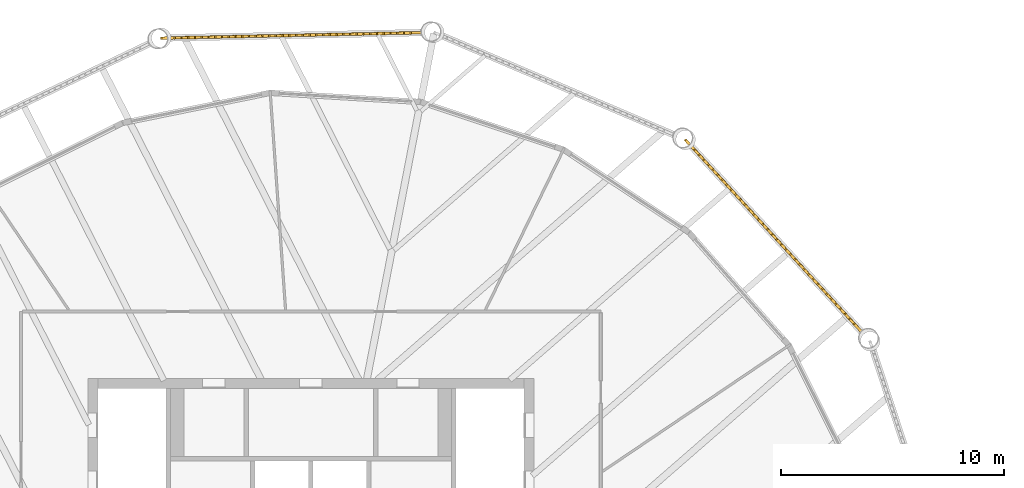
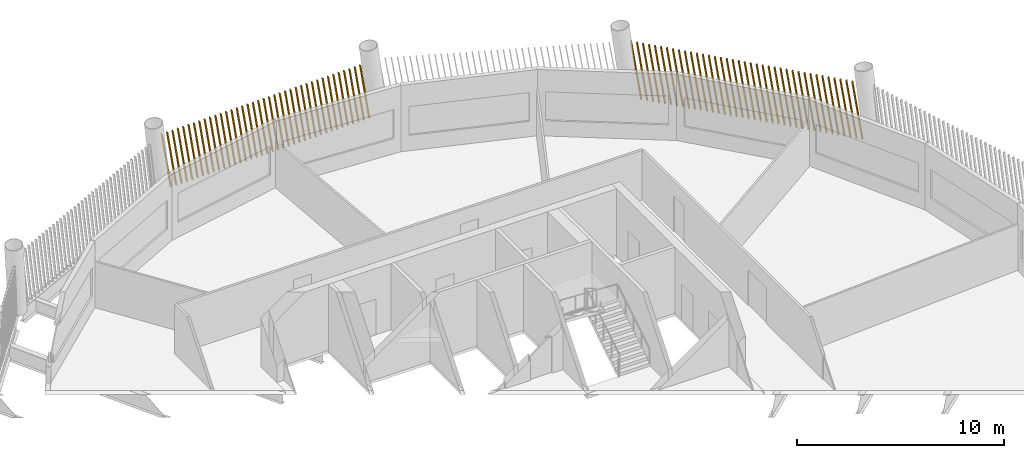
# One storey, part 28 of 28: 2 shading devices.
"""IFC4 building model written with IfcOpenShell, lengths in metres."""

from ifc_helpers import new_model, si_unit, direction, frame, frame_2d, origin, place, context, subcontext, project, spatial, rectangle, composite_profile, extrude, material, type_object, element, save


model = new_model("IFC4")

# Units and contexts
model_context = context("Model", 3, precision=1e-05, world=origin(), true_north=direction((0.0, 1.0)))
body_context = subcontext(model_context, "Body", "Model", "MODEL_VIEW")
ifc_project = project(units=[si_unit("LENGTHUNIT", "METRE"), si_unit("AREAUNIT", "SQUARE_METRE"), si_unit("VOLUMEUNIT", "CUBIC_METRE"), si_unit("PLANEANGLEUNIT", "RADIAN"), si_unit("MASSUNIT", "GRAM", prefix="KILO")], contexts=[model_context])

# Site, building, storey
site_placement = place(None, origin())
site = spatial("IfcSite", under=ifc_project, at=site_placement, CompositionType="ELEMENT")
building_placement = place(site_placement, origin())
building = spatial("IfcBuilding", under=site, at=building_placement, Name="Tarsis Ring Headquarters", CompositionType="ELEMENT")
storey_placement = place(building_placement, frame((0.0, 0.0, 394.39990234375)))
storey = spatial("IfcBuildingStorey", under=building, at=storey_placement, Name="L93", CompositionType="ELEMENT", Elevation=394.39990234375)

# Shading devices
ifc_material = material(Name="Terracotta baguette", Category="masonry")
shading_device_type = type_object("IfcShadingDeviceType", Name="Terracotta baguette screen", PredefinedType="USERDEFINED", material=ifc_material)
shading_device_1_placement = place(storey_placement, frame((24.728271484375, 15.04833984375, 0.0), z_axis=(0.0, 0.0, 1.0), x_axis=(-0.675919696148, 0.736972327727, 0.0)))
element("IfcShadingDevice", 1, at=shading_device_1_placement, inside=storey, type_object=shading_device_type, Name="Baguette screen L93-07", ObjectType="Terracotta baguette screen", PredefinedType="USERDEFINED", context=body_context, shape_type="SweptSolid", body=[
    extrude(composite_profile([rectangle(XDim=0.06005859375, YDim=0.1201171875, at=frame_2d((0.030029296875, 0.0))), rectangle(XDim=0.06005859375, YDim=0.1201171875, at=frame_2d((0.33251953125, 0.0))), rectangle(XDim=0.06005859375, YDim=0.1201171875, at=frame_2d((0.634765625, 0.0))), rectangle(XDim=0.06005859375, YDim=0.1201171875, at=frame_2d((0.937255859375, 0.0))), rectangle(XDim=0.06005859375, YDim=0.1201171875, at=frame_2d((1.239501953125, 0.0))), rectangle(XDim=0.06005859375, YDim=0.1201171875, at=frame_2d((1.5419921875, 0.0))), rectangle(XDim=0.06005859375, YDim=0.1201171875, at=frame_2d((1.844482421875, 0.0))), rectangle(XDim=0.06005859375, YDim=0.1201171875, at=frame_2d((2.146728515625, 0.0))), rectangle(XDim=0.06005859375, YDim=0.1201171875, at=frame_2d((2.44921875, 0.0))), rectangle(XDim=0.06005859375, YDim=0.1201171875, at=frame_2d((2.751708984375, 0.0))), rectangle(XDim=0.06005859375, YDim=0.1201171875, at=frame_2d((3.053955078125, 0.0))), rectangle(XDim=0.06005859375, YDim=0.1201171875, at=frame_2d((3.3564453125, 0.0))), rectangle(XDim=0.06005859375, YDim=0.1201171875, at=frame_2d((3.65869140625, 0.0))), rectangle(XDim=0.06005859375, YDim=0.1201171875, at=frame_2d((3.961181640625, 0.0))), rectangle(XDim=0.06005859375, YDim=0.1201171875, at=frame_2d((4.263671875, 0.0))), rectangle(XDim=0.06005859375, YDim=0.1201171875, at=frame_2d((4.56591796875, 0.0))), rectangle(XDim=0.06005859375, YDim=0.1201171875, at=frame_2d((4.868408203125, 0.0))), rectangle(XDim=0.06005859375, YDim=0.1201171875, at=frame_2d((5.1708984375, 0.0))), rectangle(XDim=0.06005859375, YDim=0.1201171875, at=frame_2d((5.47314453125, 0.0))), rectangle(XDim=0.06005859375, YDim=0.1201171875, at=frame_2d((5.775634765625, 0.0))), rectangle(XDim=0.06005859375, YDim=0.1201171875, at=frame_2d((6.077880859375, 0.0))), rectangle(XDim=0.06005859375, YDim=0.1201171875, at=frame_2d((6.38037109375, 0.0))), rectangle(XDim=0.06005859375, YDim=0.1201171875, at=frame_2d((6.682861328125, 0.0))), rectangle(XDim=0.06005859375, YDim=0.1201171875, at=frame_2d((6.985107421875, 0.0))), rectangle(XDim=0.06005859375, YDim=0.1201171875, at=frame_2d((7.28759765625, 0.0))), rectangle(XDim=0.06005859375, YDim=0.1201171875, at=frame_2d((7.590087890625, 0.0))), rectangle(XDim=0.06005859375, YDim=0.1201171875, at=frame_2d((7.892333984375, 0.0))), rectangle(XDim=0.06005859375, YDim=0.1201171875, at=frame_2d((8.19482421875, 0.0))), rectangle(XDim=0.06005859375, YDim=0.1201171875, at=frame_2d((8.4970703125, 0.0))), rectangle(XDim=0.06005859375, YDim=0.1201171875, at=frame_2d((8.799560546875, 0.0))), rectangle(XDim=0.06005859375, YDim=0.1201171875, at=frame_2d((9.10205078125, 0.0))), rectangle(XDim=0.06005859375, YDim=0.1201171875, at=frame_2d((9.404296875, 0.0))), rectangle(XDim=0.06005859375, YDim=0.1201171875, at=frame_2d((9.706787109375, 0.0))), rectangle(XDim=0.06005859375, YDim=0.1201171875, at=frame_2d((10.00927734375, 0.0))), rectangle(XDim=0.06005859375, YDim=0.1201171875, at=frame_2d((10.3115234375, 0.0))), rectangle(XDim=0.06005859375, YDim=0.1201171875, at=frame_2d((10.614013671875, 0.0))), rectangle(XDim=0.06005859375, YDim=0.1201171875, at=frame_2d((10.916259765625, 0.0))), rectangle(XDim=0.06005859375, YDim=0.1201171875, at=frame_2d((11.21875, 0.0)))]), origin(), (0.154495600763, 0.001403684147, 0.98799247923), 3.3359375),
])
shading_device_2_placement = place(storey_placement, frame((5.02294921875, 28.508056640625, 0.0), z_axis=(0.0, 0.0, 1.0), x_axis=(-0.999782962561, -0.021139446555, 0.0)))
element("IfcShadingDevice", 2, at=shading_device_2_placement, inside=storey, type_object=shading_device_type, Name="Baguette screen L93-09", ObjectType="Terracotta baguette screen", PredefinedType="USERDEFINED", context=body_context, shape_type="SweptSolid", body=[
    extrude(composite_profile([rectangle(XDim=0.06005859375, YDim=0.1201171875, at=frame_2d((0.030029296875, 0.0))), rectangle(XDim=0.06005859375, YDim=0.1201171875, at=frame_2d((0.33251953125, 0.0))), rectangle(XDim=0.06005859375, YDim=0.1201171875, at=frame_2d((0.634765625, 0.0))), rectangle(XDim=0.06005859375, YDim=0.1201171875, at=frame_2d((0.937255859375, 0.0))), rectangle(XDim=0.06005859375, YDim=0.1201171875, at=frame_2d((1.239501953125, 0.0))), rectangle(XDim=0.06005859375, YDim=0.1201171875, at=frame_2d((1.5419921875, 0.0))), rectangle(XDim=0.06005859375, YDim=0.1201171875, at=frame_2d((1.844482421875, 0.0))), rectangle(XDim=0.06005859375, YDim=0.1201171875, at=frame_2d((2.146728515625, 0.0))), rectangle(XDim=0.06005859375, YDim=0.1201171875, at=frame_2d((2.44921875, 0.0))), rectangle(XDim=0.06005859375, YDim=0.1201171875, at=frame_2d((2.751708984375, 0.0))), rectangle(XDim=0.06005859375, YDim=0.1201171875, at=frame_2d((3.053955078125, 0.0))), rectangle(XDim=0.06005859375, YDim=0.1201171875, at=frame_2d((3.3564453125, 0.0))), rectangle(XDim=0.06005859375, YDim=0.1201171875, at=frame_2d((3.65869140625, 0.0))), rectangle(XDim=0.06005859375, YDim=0.1201171875, at=frame_2d((3.961181640625, 0.0))), rectangle(XDim=0.06005859375, YDim=0.1201171875, at=frame_2d((4.263671875, 0.0))), rectangle(XDim=0.06005859375, YDim=0.1201171875, at=frame_2d((4.56591796875, 0.0))), rectangle(XDim=0.06005859375, YDim=0.1201171875, at=frame_2d((4.868408203125, 0.0))), rectangle(XDim=0.06005859375, YDim=0.1201171875, at=frame_2d((5.1708984375, 0.0))), rectangle(XDim=0.06005859375, YDim=0.1201171875, at=frame_2d((5.47314453125, 0.0))), rectangle(XDim=0.06005859375, YDim=0.1201171875, at=frame_2d((5.775634765625, 0.0))), rectangle(XDim=0.06005859375, YDim=0.1201171875, at=frame_2d((6.077880859375, 0.0))), rectangle(XDim=0.06005859375, YDim=0.1201171875, at=frame_2d((6.38037109375, 0.0))), rectangle(XDim=0.06005859375, YDim=0.1201171875, at=frame_2d((6.682861328125, 0.0))), rectangle(XDim=0.06005859375, YDim=0.1201171875, at=frame_2d((6.985107421875, 0.0))), rectangle(XDim=0.06005859375, YDim=0.1201171875, at=frame_2d((7.28759765625, 0.0))), rectangle(XDim=0.06005859375, YDim=0.1201171875, at=frame_2d((7.590087890625, 0.0))), rectangle(XDim=0.06005859375, YDim=0.1201171875, at=frame_2d((7.892333984375, 0.0))), rectangle(XDim=0.06005859375, YDim=0.1201171875, at=frame_2d((8.19482421875, 0.0))), rectangle(XDim=0.06005859375, YDim=0.1201171875, at=frame_2d((8.4970703125, 0.0))), rectangle(XDim=0.06005859375, YDim=0.1201171875, at=frame_2d((8.799560546875, 0.0))), rectangle(XDim=0.06005859375, YDim=0.1201171875, at=frame_2d((9.10205078125, 0.0))), rectangle(XDim=0.06005859375, YDim=0.1201171875, at=frame_2d((9.404296875, 0.0))), rectangle(XDim=0.06005859375, YDim=0.1201171875, at=frame_2d((9.706787109375, 0.0))), rectangle(XDim=0.06005859375, YDim=0.1201171875, at=frame_2d((10.00927734375, 0.0))), rectangle(XDim=0.06005859375, YDim=0.1201171875, at=frame_2d((10.3115234375, 0.0))), rectangle(XDim=0.06005859375, YDim=0.1201171875, at=frame_2d((10.614013671875, 0.0))), rectangle(XDim=0.06005859375, YDim=0.1201171875, at=frame_2d((10.916259765625, 0.0))), rectangle(XDim=0.06005859375, YDim=0.1201171875, at=frame_2d((11.21875, 0.0)))]), origin(), (0.154496771801, 0.001402315918, 0.987992298054), 3.3359375),
])

save(model, "model.ifc")
